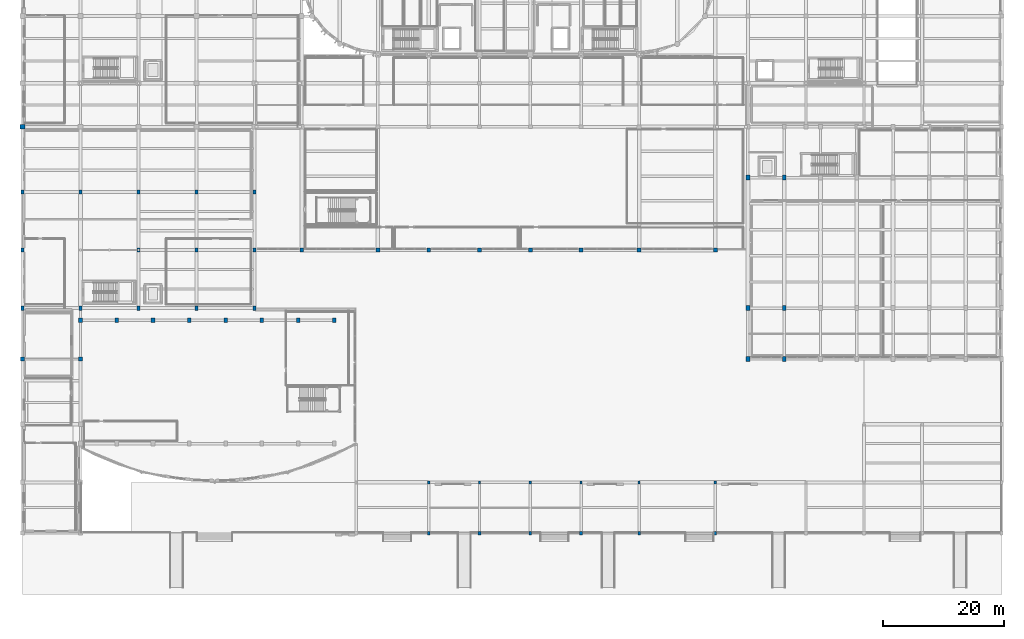
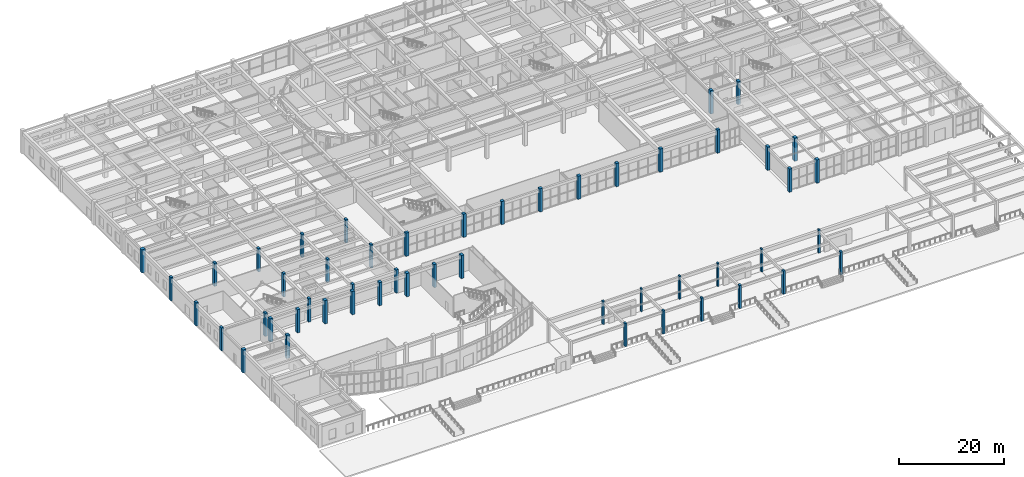
# One storey, part 3 of 98: 51 columns.
"""IFC4 building model written with IfcOpenShell, lengths in metres."""

from ifc_helpers import new_model, si_unit, direction, frame, origin, origin_2d, place, context, subcontext, project, spatial, rectangle, extrude, material, material_profile, profile_set, type_object, element, save


model = new_model("IFC4")

# Units and contexts
model_context = context("Model", 3, precision=1e-05, world=origin(), true_north=direction((0.0, 1.0)))
body_context = subcontext(model_context, "Body", "Model", "MODEL_VIEW")
ifc_project = project(units=[si_unit("LENGTHUNIT", "METRE"), si_unit("AREAUNIT", "SQUARE_METRE"), si_unit("VOLUMEUNIT", "CUBIC_METRE"), si_unit("PLANEANGLEUNIT", "RADIAN"), si_unit("MASSUNIT", "GRAM", prefix="KILO")], contexts=[model_context])

# Site, building, storey
site_placement = place(None, origin())
site = spatial("IfcSite", under=ifc_project, at=site_placement, CompositionType="ELEMENT")
building_placement = place(site_placement, origin())
building = spatial("IfcBuilding", under=site, at=building_placement, Name="Tarnavel Promenade Courthouse", CompositionType="ELEMENT")
storey_placement = place(building_placement, origin())
storey = spatial("IfcBuildingStorey", under=building, at=storey_placement, Name="L01", CompositionType="ELEMENT", Elevation=0.0)

# Columns
ifc_material = material(Name="Concrete C40/50", Category="concrete")
ifc_material_profile_1 = material_profile(ifc_material, rectangle(XDim=0.35009765625, YDim=0.5, at=origin_2d()), Name="RC 350x500")
ifc_profile_set_1 = profile_set([ifc_material_profile_1], Name="Concrete C40/50")
column_type_1 = type_object("IfcColumnType", Name="Concrete C40/50 COL-PIL-350x500 (RC 350x500)", PredefinedType="PILASTER", material=ifc_profile_set_1)
for number, where, z_axis, x_axis, name in (
    (1, (67.199951171875, 8.39990234375, 0.0), (0.0, 0.0, 1.0), (1.0, 0.0, 0.0), "L01 Structural Column 1099"),
    (2, (75.60009765625, 8.39990234375, 0.0), (0.0, 0.0, 1.0), (1.0, 0.0, 0.0), "L01 Structural Column 1103"),
    (3, (84.0, 8.39990234375, 0.0), (0.0, 0.0, 1.0), (1.0, 0.0, 0.0), "L01 Structural Column 1107"),
    (4, (92.39990234375, 8.39990234375, 0.0), (0.0, 0.0, 1.0), (1.0, 0.0, 0.0), "L01 Structural Column 1111"),
    (5, (102.0, 8.39990234375, 0.0), (0.0, 0.0, 1.0), (1.0, 0.0, 0.0), "L01 Structural Column 1115"),
    (6, (114.60009765625, 8.39990234375, 0.0), (0.0, 0.0, 1.0), (1.0, 0.0, 0.0), "L01 Structural Column 1119"),
):
    element("IfcColumn", number, at=place(storey_placement, frame(where, z_axis=z_axis, x_axis=x_axis)), inside=storey, type_object=column_type_1, Name=name, PredefinedType="PILASTER", context=body_context, shape_type="SweptSolid", body=[
        extrude(rectangle(XDim=0.35009765625, YDim=0.5, at=origin_2d()), origin(), (0.0, 0.0, 1.0), 5.39990234375),
    ])
ifc_material_profile_2 = material_profile(ifc_material, rectangle(XDim=0.449951171875, YDim=0.60009765625, at=origin_2d()), Name="RC 450x600")
ifc_profile_set_2 = profile_set([ifc_material_profile_2], Name="Concrete C40/50")
column_type_2 = type_object("IfcColumnType", Name="Concrete C40/50 COL-PIL-450x600 (RC 450x600)", PredefinedType="PILASTER", material=ifc_profile_set_2)
for number, where, z_axis, x_axis, name in (
    (7, (67.199951171875, 0.0, 0.0), (0.0, 0.0, 1.0), (1.0, 0.0, 0.0), "L01 Structural Column 1097"),
    (8, (75.60009765625, 0.0, 0.0), (0.0, 0.0, 1.0), (1.0, 0.0, 0.0), "L01 Structural Column 1101"),
    (9, (84.0, 0.0, 0.0), (0.0, 0.0, 1.0), (1.0, 0.0, 0.0), "L01 Structural Column 1105"),
    (10, (92.39990234375, 0.0, 0.0), (0.0, 0.0, 1.0), (1.0, 0.0, 0.0), "L01 Structural Column 1109"),
    (11, (102.0, 0.0, 0.0), (0.0, 0.0, 1.0), (1.0, 0.0, 0.0), "L01 Structural Column 1113"),
    (12, (114.60009765625, 0.0, 0.0), (0.0, 0.0, 1.0), (1.0, 0.0, 0.0), "L01 Structural Column 1117"),
):
    element("IfcColumn", number, at=place(storey_placement, frame(where, z_axis=z_axis, x_axis=x_axis)), inside=storey, type_object=column_type_2, Name=name, PredefinedType="PILASTER", context=body_context, shape_type="SweptSolid", body=[
        extrude(rectangle(XDim=0.449951171875, YDim=0.60009765625, at=origin_2d()), origin(), (0.0, 0.0, 1.0), 5.39990234375),
    ])
ifc_material_profile_3 = material_profile(ifc_material, rectangle(XDim=0.5, YDim=0.699951171875, at=origin_2d()), Name="RC 500x700")
ifc_profile_set_3 = profile_set([ifc_material_profile_3], Name="Concrete C40/50")
column_type_3 = type_object("IfcColumnType", Name="Concrete C40/50 COL-RC500x700 (RC 500x700)", PredefinedType="COLUMN", material=ifc_profile_set_3)
for number, where, z_axis, x_axis, name in (
    (13, (0.0, 37.199951171875, 0.0), (0.0, 0.0, 1.0), (1.0, 0.0, 0.0), "L01 Structural Column 0534"),
    (14, (0.0, 46.800048828125, 0.0), (0.0, 0.0, 1.0), (1.0, 0.0, 0.0), "L01 Structural Column 0540"),
    (15, (0.0, 56.39990234375, 0.0), (0.0, 0.0, 1.0), (1.0, 0.0, 0.0), "L01 Structural Column 0546"),
    (16, (9.60009765625, 37.199951171875, 0.0), (0.0, 0.0, 1.0), (1.0, 0.0, 0.0), "L01 Structural Column 0552"),
    (17, (9.60009765625, 56.39990234375, 0.0), (0.0, 0.0, 1.0), (1.0, 0.0, 0.0), "L01 Structural Column 0558"),
    (18, (19.199951171875, 37.199951171875, 0.0), (0.0, 0.0, 1.0), (1.0, 0.0, 0.0), "L01 Structural Column 0564"),
    (19, (19.199951171875, 46.800048828125, 0.0), (0.0, 0.0, 1.0), (1.0, 0.0, 0.0), "L01 Structural Column 0570"),
    (20, (19.199951171875, 56.39990234375, 0.0), (0.0, 0.0, 1.0), (1.0, 0.0, 0.0), "L01 Structural Column 0576"),
    (21, (28.800048828125, 37.199951171875, 0.0), (0.0, 0.0, 1.0), (1.0, 0.0, 0.0), "L01 Structural Column 0582"),
    (22, (28.800048828125, 46.800048828125, 0.0), (0.0, 0.0, 1.0), (1.0, 0.0, 0.0), "L01 Structural Column 0588"),
    (23, (28.800048828125, 56.39990234375, 0.0), (0.0, 0.0, 1.0), (1.0, 0.0, 0.0), "L01 Structural Column 0594"),
    (24, (38.39990234375, 37.199951171875, 0.0), (0.0, 0.0, 1.0), (1.0, 0.0, 0.0), "L01 Structural Column 0600"),
    (25, (38.39990234375, 46.800048828125, 0.0), (0.0, 0.0, 1.0), (1.0, 0.0, 0.0), "L01 Structural Column 0605"),
    (26, (38.39990234375, 56.39990234375, 0.0), (0.0, 0.0, 1.0), (1.0, 0.0, 0.0), "L01 Structural Column 0610"),
):
    element("IfcColumn", number, at=place(storey_placement, frame(where, z_axis=z_axis, x_axis=x_axis)), inside=storey, type_object=column_type_3, Name=name, PredefinedType="COLUMN", context=body_context, shape_type="SweptSolid", body=[
        extrude(rectangle(XDim=0.5, YDim=0.699951171875, at=origin_2d()), origin(), (0.0, 0.0, 1.0), 5.39990234375),
    ])
ifc_material_profile_4 = material_profile(ifc_material, rectangle(XDim=0.60009765625, YDim=0.800048828125, at=origin_2d()), Name="RC 600x800")
ifc_profile_set_4 = profile_set([ifc_material_profile_4], Name="Concrete C40/50")
column_type_4 = type_object("IfcColumnType", Name="Concrete C40/50 COL-RC600x800 (RC 600x800)", PredefinedType="COLUMN", material=ifc_profile_set_4)
for number, where, z_axis, x_axis, name in (
    (27, (9.60009765625, 35.199951171875, 0.0), (0.0, 0.0, 1.0), (1.0, 0.0, 0.0), "L01 Structural Column 0651"),
    (28, (15.60009765625, 35.199951171875, 0.0), (0.0, 0.0, 1.0), (1.0, 0.0, 0.0), "L01 Structural Column 0659"),
    (29, (21.60009765625, 35.199951171875, 0.0), (0.0, 0.0, 1.0), (1.0, 0.0, 0.0), "L01 Structural Column 0667"),
    (30, (27.60009765625, 35.199951171875, 0.0), (0.0, 0.0, 1.0), (1.0, 0.0, 0.0), "L01 Structural Column 0675"),
    (31, (33.60009765625, 35.199951171875, 0.0), (0.0, 0.0, 1.0), (1.0, 0.0, 0.0), "L01 Structural Column 0683"),
    (32, (39.60009765625, 35.199951171875, 0.0), (0.0, 0.0, 1.0), (1.0, 0.0, 0.0), "L01 Structural Column 0691"),
    (33, (45.60009765625, 35.199951171875, 0.0), (0.0, 0.0, 1.0), (1.0, 0.0, 0.0), "L01 Structural Column 0699"),
    (34, (51.60009765625, 35.199951171875, 0.0), (0.0, 0.0, 1.0), (1.0, 0.0, 0.0), "L01 Structural Column 0707"),
    (35, (120.0, 28.800048828125, 0.0), (0.0, 0.0, 1.0), (1.0, 0.0, 0.0), "L01 Structural Column 0727"),
    (36, (120.0, 37.199951171875, 0.0), (0.0, 0.0, 1.0), (1.0, 0.0, 0.0), "L01 Structural Column 0732"),
    (37, (120.0, 58.800048828125, 0.0), (0.0, 0.0, 1.0), (1.0, 0.0, 0.0), "L01 Structural Column 0737"),
    (38, (126.0, 28.800048828125, 0.0), (0.0, 0.0, 1.0), (1.0, 0.0, 0.0), "L01 Structural Column 0747"),
    (39, (126.0, 37.199951171875, 0.0), (0.0, 0.0, 1.0), (1.0, 0.0, 0.0), "L01 Structural Column 0752"),
    (40, (126.0, 58.800048828125, 0.0), (0.0, 0.0, 1.0), (1.0, 0.0, 0.0), "L01 Structural Column 0757"),
):
    element("IfcColumn", number, at=place(storey_placement, frame(where, z_axis=z_axis, x_axis=x_axis)), inside=storey, type_object=column_type_4, Name=name, PredefinedType="COLUMN", context=body_context, shape_type="SweptSolid", body=[
        extrude(rectangle(XDim=0.60009765625, YDim=0.800048828125, at=origin_2d()), origin(), (0.0, 0.0, 1.0), 5.39990234375),
    ])
ifc_material_profile_5 = material_profile(ifc_material, rectangle(XDim=0.64990234375, YDim=0.64990234375, at=origin_2d()), Name="RC 650x650")
ifc_profile_set_5 = profile_set([ifc_material_profile_5], Name="Concrete C40/50")
column_type_5 = type_object("IfcColumnType", Name="Concrete C40/50 COL-RC650-UPP (RC 650x650)", PredefinedType="COLUMN", material=ifc_profile_set_5)
for number, where, z_axis, x_axis, name in (
    (41, (46.199951171875, 46.800048828125, 0.0), (0.0, 0.0, 1.0), (1.0, 0.0, 0.0), "L01 Structural Column 0999"),
    (42, (58.800048828125, 46.800048828125, 0.0), (0.0, 0.0, 1.0), (1.0, 0.0, 0.0), "L01 Structural Column 1003"),
    (43, (67.199951171875, 46.800048828125, 0.0), (0.0, 0.0, 1.0), (1.0, 0.0, 0.0), "L01 Structural Column 1015"),
    (44, (75.60009765625, 46.800048828125, 0.0), (0.0, 0.0, 1.0), (1.0, 0.0, 0.0), "L01 Structural Column 1027"),
    (45, (84.0, 46.800048828125, 0.0), (0.0, 0.0, 1.0), (1.0, 0.0, 0.0), "L01 Structural Column 1039"),
    (46, (92.39990234375, 46.800048828125, 0.0), (0.0, 0.0, 1.0), (1.0, 0.0, 0.0), "L01 Structural Column 1051"),
    (47, (102.0, 46.800048828125, 0.0), (0.0, 0.0, 1.0), (1.0, 0.0, 0.0), "L01 Structural Column 1063"),
    (48, (114.60009765625, 46.800048828125, 0.0), (0.0, 0.0, 1.0), (1.0, 0.0, 0.0), "L01 Structural Column 1075"),
):
    element("IfcColumn", number, at=place(storey_placement, frame(where, z_axis=z_axis, x_axis=x_axis)), inside=storey, type_object=column_type_5, Name=name, PredefinedType="COLUMN", context=body_context, shape_type="SweptSolid", body=[
        extrude(rectangle(XDim=0.64990234375, YDim=0.64990234375, at=origin_2d()), origin(), (0.0, 0.0, 1.0), 5.39990234375),
    ])
ifc_material_profile_6 = material_profile(ifc_material, rectangle(XDim=0.699951171875, YDim=0.699951171875, at=origin_2d()), Name="RC 700x700")
ifc_profile_set_6 = profile_set([ifc_material_profile_6], Name="Concrete C40/50")
column_type_6 = type_object("IfcColumnType", Name="Concrete C40/50 COL-RC700-MID (RC 700x700)", PredefinedType="COLUMN", material=ifc_profile_set_6)
for number, where, z_axis, x_axis, name in (
    (49, (0.0, 28.800048828125, 0.0), (0.0, 0.0, 1.0), (1.0, 0.0, 0.0), "L01 Structural Column 0627"),
    (50, (9.60009765625, 28.800048828125, 0.0), (0.0, 0.0, 1.0), (1.0, 0.0, 0.0), "L01 Structural Column 0643"),
):
    element("IfcColumn", number, at=place(storey_placement, frame(where, z_axis=z_axis, x_axis=x_axis)), inside=storey, type_object=column_type_6, Name=name, PredefinedType="COLUMN", context=body_context, shape_type="SweptSolid", body=[
        extrude(rectangle(XDim=0.699951171875, YDim=0.699951171875, at=origin_2d()), origin(), (0.0, 0.0, 1.0), 5.39990234375),
    ])
ifc_material_profile_7 = material_profile(ifc_material, rectangle(XDim=0.800048828125, YDim=0.800048828125, at=origin_2d()), Name="RC 800x800")
ifc_profile_set_7 = profile_set([ifc_material_profile_7], Name="Concrete C40/50")
column_type_7 = type_object("IfcColumnType", Name="Concrete C40/50 COL-RC800-LOW (RC 800x800)", PredefinedType="COLUMN", material=ifc_profile_set_7)
column_placement = place(storey_placement, frame((0.0, 67.199951171875, 0.0), z_axis=(0.0, 0.0, 1.0), x_axis=(1.0, 0.0, 0.0)))
element("IfcColumn", 51, at=column_placement, inside=storey, type_object=column_type_7, Name="L01 Structural Column 0330", PredefinedType="COLUMN", context=body_context, shape_type="SweptSolid", body=[
    extrude(rectangle(XDim=0.800048828125, YDim=0.800048828125, at=origin_2d()), origin(), (0.0, 0.0, 1.0), 5.39990234375),
])

save(model, "model.ifc")
